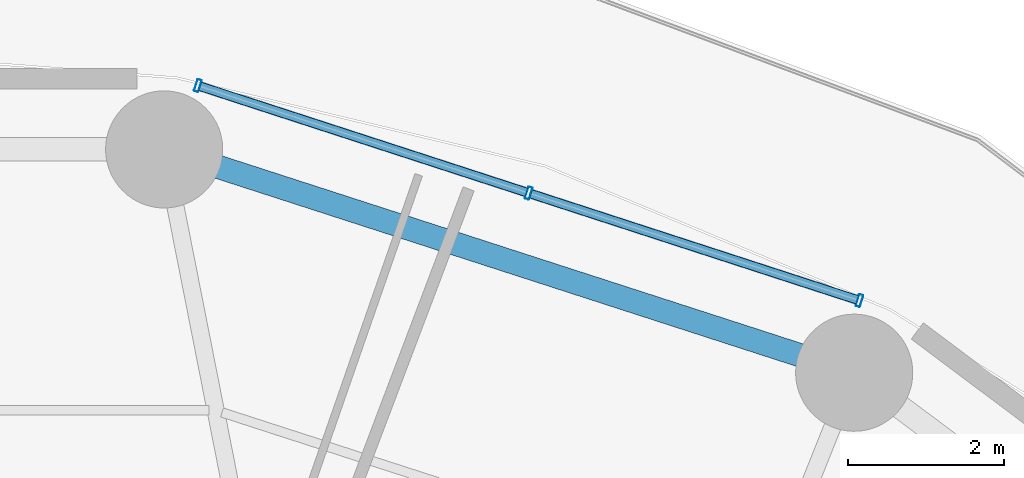
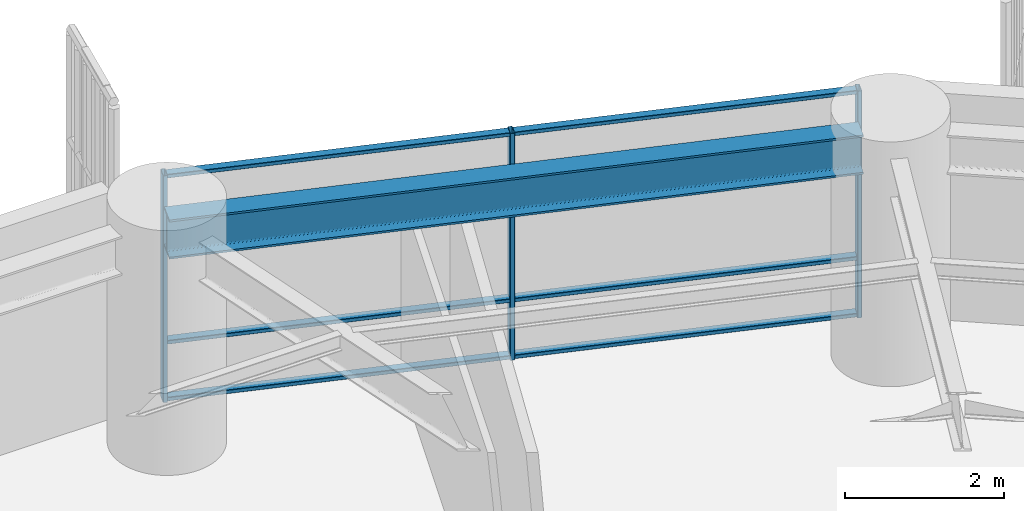
# One storey, part 21 of 32: 9 members, 1 beam, 1 element without a shape of its own.
"""IFC4 building model written with IfcOpenShell, lengths in metres."""

import ifcopenshell
import ifcopenshell.guid

model = None  # the IFC model being written
_history = None  # IfcOwnerHistory: only IFC2X3 demands one
_inside = {}  # id of a spatial element -> (the spatial element, [elements in it])
_under = {}  # id of a project, library or spatial element -> (it, [spatial elements below it])
_declared = {}  # id of a project -> (the project, [libraries it declares])
_typed = {}  # id of a type object -> (the type object, [elements of that type])
_made_of = {}  # id of a material, layer set ... -> (it, [elements and type objects made of it])


def new_model(schema):
    """Start an empty IFC model of exactly this schema.

    Asked for "IFC4X3", IfcOpenShell would pick the latest addendum, in which some entities
    have other attributes; the version numbers below select the first issue.
    IFC2X3 requires an IfcOwnerHistory on every rooted entity: one is made here for all.
    """
    global model, _history
    if schema == "IFC4X3":
        model = ifcopenshell.file(schema_version=(4, 3, 0, 0))
    else:
        model = ifcopenshell.file(schema=schema)
    _inside.clear()
    _under.clear()
    _declared.clear()
    _typed.clear()
    _made_of.clear()
    _history = None
    if model.schema == "IFC2X3":
        org = make("IfcOrganization", Name="unknown")
        user = make(
            "IfcPersonAndOrganization",
            ThePerson=make("IfcPerson", FamilyName="unknown"),
            TheOrganization=org,
        )
        app = make(
            "IfcApplication",
            ApplicationDeveloper=org,
            Version="unknown",
            ApplicationFullName="unknown",
            ApplicationIdentifier="unknown",
        )
        _history = make(
            "IfcOwnerHistory",
            OwningUser=user,
            OwningApplication=app,
            ChangeAction="ADDED",
            CreationDate=0,
        )
    return model


def make(cls, **values):
    """One entity of the class cls with the attributes given. An attribute that is None is left unset."""
    return model.create_entity(
        cls, **{name: value for name, value in values.items() if value is not None}
    )


def rooted(cls, **values):
    """An entity with a GlobalId (a new one), such as an element, a storey or a relation."""
    return make(cls, GlobalId=ifcopenshell.guid.new(), OwnerHistory=_history, **values)


def si_unit(unit_type, name, prefix=None):
    """IfcSIUnit, for example si_unit("LENGTHUNIT", "METRE", prefix="MILLI")."""
    return make("IfcSIUnit", UnitType=unit_type, Prefix=prefix, Name=name)


def assignment(units):
    """IfcUnitAssignment: the units of a project."""
    return None if units is None else make("IfcUnitAssignment", Units=units)


def point(xyz):
    """IfcCartesianPoint."""
    return None if xyz is None else make("IfcCartesianPoint", Coordinates=xyz)


def direction(xyz):
    """IfcDirection."""
    return None if xyz is None else make("IfcDirection", DirectionRatios=xyz)


def frame(location, z_axis=None, x_axis=None):
    """IfcAxis2Placement3D, a coordinate frame: its origin and axes. An axis left out is left unset."""
    return make(
        "IfcAxis2Placement3D",
        Location=point(location),
        Axis=direction(z_axis),
        RefDirection=direction(x_axis),
    )


def frame_2d(location, x_axis=None):
    """IfcAxis2Placement2D, a coordinate frame in the plane: its origin and x axis."""
    return make(
        "IfcAxis2Placement2D", Location=point(location), RefDirection=direction(x_axis)
    )


def origin():
    """The frame at (0, 0, 0) with its axes left unset."""
    return frame((0.0, 0.0, 0.0))


def origin_2d():
    """The frame at (0, 0) in the plane with its x axis left unset."""
    return frame_2d((0.0, 0.0))


def place(relative_to, where):
    """IfcLocalPlacement: puts the frame where relative to a parent placement (None: the world)."""
    return make(
        "IfcLocalPlacement", PlacementRelTo=relative_to, RelativePlacement=where
    )


def context(
    kind, dimensions, precision=None, world=None, true_north=None, identifier=None
):
    """IfcGeometricRepresentationContext, for example the 3D "Model" context."""
    return make(
        "IfcGeometricRepresentationContext",
        ContextIdentifier=identifier,
        ContextType=kind,
        CoordinateSpaceDimension=dimensions,
        Precision=precision,
        WorldCoordinateSystem=world,
        TrueNorth=true_north,
    )


def subcontext(parent, identifier, kind, view, scale=None):
    """IfcGeometricRepresentationSubContext, for example "Body" below "Model"."""
    return make(
        "IfcGeometricRepresentationSubContext",
        ContextIdentifier=identifier,
        ContextType=kind,
        ParentContext=parent,
        TargetScale=scale,
        TargetView=view,
    )


def project(units=None, contexts=None):
    """IfcProject with its units and contexts."""
    return rooted(
        "IfcProject",
        Name="project",
        RepresentationContexts=contexts,
        UnitsInContext=assignment(units),
    )


def spatial(cls, under=None, at=None, **own):
    """A site, building, storey or space (cls), placed at a placement, below another one or the project."""
    s = rooted(cls, ObjectPlacement=at, **own)
    if under is not None:
        _under.setdefault(under.id(), (under, []))[1].append(s)
    return s


def profile(cls, at=None, kind="AREA", **sizes):
    """A parametric profile (cls). Its sizes go by their IFC names, for example OverallWidth=200.0."""
    return make(cls, ProfileType=kind, Position=at, **sizes)


def hollow_rectangle(**sizes):
    """IfcRectangleHollowProfileDef."""
    return profile("IfcRectangleHollowProfileDef", **sizes)


def i_section(**sizes):
    """IfcIShapeProfileDef."""
    return profile("IfcIShapeProfileDef", **sizes)


def extrude(swept, where, along, depth):
    """IfcExtrudedAreaSolid: the profile swept, set in the frame where, extruded along a direction by depth."""
    return make(
        "IfcExtrudedAreaSolid",
        SweptArea=swept,
        Position=where,
        ExtrudedDirection=direction(along),
        Depth=depth,
    )


def shape(context_of_items, identifier, shape_type, items):
    """IfcShapeRepresentation: the items that make up one representation, for example the "Body"."""
    return make(
        "IfcShapeRepresentation",
        ContextOfItems=context_of_items,
        RepresentationIdentifier=identifier,
        RepresentationType=shape_type,
        Items=items,
    )


def material(Name=None, Category=None):
    """IfcMaterial."""
    return make("IfcMaterial", Name=Name, Category=Category)


def layer(
    of_material, thickness, ventilated=None, Name=None, Category=None, Priority=None
):
    """IfcMaterialLayer: one layer of a wall or slab, of a material (None: an air gap)."""
    return make(
        "IfcMaterialLayer",
        Material=of_material,
        LayerThickness=thickness,
        IsVentilated=ventilated,
        Name=Name,
        Category=Category,
        Priority=Priority,
    )


def layer_set(layers, Name=None):
    """IfcMaterialLayerSet."""
    return make("IfcMaterialLayerSet", MaterialLayers=layers, LayerSetName=Name)


def material_profile(
    of_material, cross_section, Name=None, Category=None, Priority=None
):
    """IfcMaterialProfile: a cross section and its material."""
    return make(
        "IfcMaterialProfile",
        Name=Name,
        Material=of_material,
        Profile=cross_section,
        Priority=Priority,
        Category=Category,
    )


def profile_set(profiles, Name=None, composite=None):
    """IfcMaterialProfileSet."""
    return make(
        "IfcMaterialProfileSet",
        Name=Name,
        MaterialProfiles=profiles,
        CompositeProfile=composite,
    )


def made_of(thing, what):
    """Note that an element or type object is made of a material, layer set ...; save() writes the relation."""
    if what is not None:
        _made_of.setdefault(what.id(), (what, []))[1].append(thing)
    return thing


def type_object(cls, material=None, **own):
    """A type object (cls), such as IfcWallType, which elements share."""
    return made_of(rooted(cls, **own), material)


def element(
    cls,
    number,
    at=None,
    inside=None,
    cuts=None,
    type_object=None,
    material=None,
    context=None,
    identifier="Body",
    shape_type=None,
    held_by="IfcProductDefinitionShape",
    body=None,
    shapes=None,
    **own,
):
    """One element of the class cls, such as IfcWall. Its Tag is "e" and its number.

    at: its placement. inside: the storey or other place that contains it. cuts: it is an
    opening in that element (IfcRelVoidsElement). A single representation is given by context,
    identifier, shape_type and body (its items); several are given by shapes. held_by: the class
    of the entity that holds the representations. save() writes the other relations.
    """
    e = rooted(cls, Tag="e%d" % number, ObjectPlacement=at, **own)
    if body is not None:
        shapes = [shape(context, identifier, shape_type, body)]
    if shapes is not None:
        e.Representation = make(held_by, Representations=shapes)
    if inside is not None:
        _inside.setdefault(inside.id(), (inside, []))[1].append(e)
    if cuts is not None:
        rooted(
            "IfcRelVoidsElement", RelatingBuildingElement=cuts, RelatedOpeningElement=e
        )
    if type_object is not None:
        _typed.setdefault(type_object.id(), (type_object, []))[1].append(e)
    return made_of(e, material)


def aggregate(whole, parts):
    """IfcRelAggregates: a whole, such as a stair, and the parts it consists of."""
    return rooted("IfcRelAggregates", RelatingObject=whole, RelatedObjects=parts)


def save(model, path):
    """Write the relations noted so far, then the file.

    IfcRelAggregates (storeys below a building ...), IfcRelContainedInSpatialStructure (elements
    in a storey), IfcRelDefinesByType, IfcRelAssociatesMaterial and IfcRelDeclares: one each for
    every whole, place, type object, material and project.
    """
    for whole, parts in _under.values():
        aggregate(whole, parts)
    for where, things in _inside.values():
        rooted(
            "IfcRelContainedInSpatialStructure",
            RelatedElements=things,
            RelatingStructure=where,
        )
    for kind, things in _typed.values():
        rooted("IfcRelDefinesByType", RelatedObjects=things, RelatingType=kind)
    for what, things in _made_of.values():
        rooted("IfcRelAssociatesMaterial", RelatedObjects=things, RelatingMaterial=what)
    for by, libraries in _declared.values():
        rooted("IfcRelDeclares", RelatingContext=by, RelatedDefinitions=libraries)
    model.write(path)


model = new_model("IFC4")

# Units and contexts
model_context = context("Model", 3, precision=1e-05, world=origin(), true_north=direction((0.0, 1.0)))
body_context = subcontext(model_context, "Body", "Model", "MODEL_VIEW")
ifc_project = project(units=[si_unit("LENGTHUNIT", "METRE"), si_unit("AREAUNIT", "SQUARE_METRE"), si_unit("VOLUMEUNIT", "CUBIC_METRE"), si_unit("PLANEANGLEUNIT", "RADIAN"), si_unit("MASSUNIT", "GRAM", prefix="KILO")], contexts=[model_context])

# Site, building, storey
site_placement = place(None, origin())
site = spatial("IfcSite", under=ifc_project, at=site_placement, CompositionType="ELEMENT")
building_placement = place(site_placement, origin())
building = spatial("IfcBuilding", under=site, at=building_placement, Name="Kelanora Arch Commons", CompositionType="ELEMENT")
storey_placement = place(building_placement, frame((0.0, 0.0, 56.25)))
storey = spatial("IfcBuildingStorey", under=building, at=storey_placement, Name="L14", CompositionType="ELEMENT", Elevation=56.25)

# Beam
ifc_material_1 = material(Name="Steel S355", Category="steel")
ifc_material_profile_1 = material_profile(ifc_material_1, i_section(OverallWidth=0.300048828125, OverallDepth=0.60009765625, WebThickness=0.015380859375, FlangeThickness=0.030029296875, FilletRadius=0.027099609375, at=origin_2d()), Name="HEB600")
ifc_profile_set_1 = profile_set([ifc_material_profile_1], Name="Steel S355")
beam_type = type_object("IfcBeamType", Name="BM-SPN-Z1", PredefinedType="SPANDREL", material=ifc_profile_set_1)
beam_placement = place(storey_placement, frame((87.178466796875, 78.970947265625, 3.18994140625), z_axis=(-0.951414770924, 0.307912217469, 0.0), x_axis=(-0.307912217469, -0.951414770924, 0.0)))
element("IfcBeam", 1, at=beam_placement, inside=storey, type_object=beam_type, Name="Perimeter Spandrel Beam BS-06 L14", PredefinedType="SPANDREL", context=body_context, shape_type="SweptSolid", body=[
    extrude(i_section(OverallWidth=0.300048828125, OverallDepth=0.60009765625, WebThickness=0.015380859375, FlangeThickness=0.030029296875, FilletRadius=0.027099609375, at=origin_2d()), origin(), (0.0, 0.0, 1.0), 8.908935546875),
])

# Curtain wall, members
ifc_material_2 = material(Name="Terracotta ceramic-fritted low-E glass and aluminium", Category="masonry")
ifc_layer = layer(ifc_material_2, 0.159912109375)
ifc_layer_set = layer_set([ifc_layer], Name="Terracotta ceramic-fritted low-E glass and aluminium")
curtain_wall_type = type_object("IfcCurtainWallType", Name="CW-SYS-01", PredefinedType="NOTDEFINED", material=ifc_layer_set)
curtain_wall_placement = place(storey_placement, origin())
curtain_wall = element("IfcCurtainWall", 2, at=curtain_wall_placement, inside=storey, type_object=curtain_wall_type, Name="Unitised Curtain Wall L14-B03", PredefinedType="NOTDEFINED")
ifc_material_3 = material(Name="Powder-coated aluminium terracotta", Category="masonry")
ifc_material_profile_2 = material_profile(ifc_material_3, hollow_rectangle(XDim=0.159912109375, YDim=0.06005859375, WallThickness=0.0048828125, InnerFilletRadius=0.0048828125, OuterFilletRadius=0.010009765625, at=origin_2d()), Name="CWM160x60")
ifc_profile_set_2 = profile_set([ifc_material_profile_2], Name="Powder-coated aluminium terracotta")
member_type_1 = type_object("IfcMemberType", Name="CWM-STD", PredefinedType="MULLION", material=ifc_profile_set_2)
member_1_placement = place(storey_placement, frame((87.607666015625, 79.778076171875, 0.0), z_axis=(0.0, 0.0, 1.0), x_axis=(-0.30905758454, -0.951043326793, 0.0)))
member_1 = element("IfcMember", 3, at=member_1_placement, type_object=member_type_1, Name="CW-01 mullion 1", PredefinedType="MULLION", context=body_context, shape_type="SweptSolid", body=[
    extrude(hollow_rectangle(XDim=0.159912109375, YDim=0.06005859375, WallThickness=0.0048828125, InnerFilletRadius=0.0048828125, OuterFilletRadius=0.010009765625, at=origin_2d()), origin(), (0.0, 0.0, 1.0), 3.47509765625),
])
member_2_placement = place(storey_placement, frame((83.37109375, 81.15478515625, 0.0), z_axis=(0.0, 0.0, 1.0), x_axis=(-0.30905758454, -0.951043326793, 0.0)))
member_2 = element("IfcMember", 4, at=member_2_placement, type_object=member_type_1, Name="CW-01 mullion 2", PredefinedType="MULLION", context=body_context, shape_type="SweptSolid", body=[
    extrude(hollow_rectangle(XDim=0.159912109375, YDim=0.06005859375, WallThickness=0.0048828125, InnerFilletRadius=0.0048828125, OuterFilletRadius=0.010009765625, at=origin_2d()), origin(), (0.0, 0.0, 1.0), 3.47509765625),
])
member_3_placement = place(storey_placement, frame((79.134521484375, 82.53173828125, 0.0), z_axis=(0.0, 0.0, 1.0), x_axis=(-0.30905758454, -0.951043326793, 0.0)))
member_3 = element("IfcMember", 5, at=member_3_placement, type_object=member_type_1, Name="CW-01 mullion 3", PredefinedType="MULLION", context=body_context, shape_type="SweptSolid", body=[
    extrude(hollow_rectangle(XDim=0.159912109375, YDim=0.06005859375, WallThickness=0.0048828125, InnerFilletRadius=0.0048828125, OuterFilletRadius=0.010009765625, at=origin_2d()), origin(), (0.0, 0.0, 1.0), 3.47509765625),
])
ifc_material_profile_3 = material_profile(ifc_material_3, hollow_rectangle(XDim=0.1201171875, YDim=0.06005859375, WallThickness=0.0048828125, InnerFilletRadius=0.0048828125, OuterFilletRadius=0.010009765625, at=origin_2d()), Name="CWT120x60")
ifc_profile_set_3 = profile_set([ifc_material_profile_3], Name="Powder-coated aluminium terracotta")
member_type_2 = type_object("IfcMemberType", Name="CWT-STD", PredefinedType="USERDEFINED", material=ifc_profile_set_3)
member_4_placement = place(storey_placement, frame((87.5791015625, 79.787353515625, 0.030029296875), z_axis=(-0.951045091182, 0.309052155047, 0.0), x_axis=(-0.309052155047, -0.951045091182, 0.0)))
member_4 = element("IfcMember", 6, at=member_4_placement, type_object=member_type_2, Name="CW-01 transom 1.1", ObjectType="TRANSOM", PredefinedType="USERDEFINED", context=body_context, shape_type="SweptSolid", body=[
    extrude(hollow_rectangle(XDim=0.1201171875, YDim=0.06005859375, WallThickness=0.0048828125, InnerFilletRadius=0.0048828125, OuterFilletRadius=0.010009765625, at=origin_2d()), origin(), (0.0, 0.0, 1.0), 4.39453125),
])
member_5_placement = place(storey_placement, frame((87.5791015625, 79.787353515625, 0.89990234375), z_axis=(-0.951045091182, 0.309052155047, 0.0), x_axis=(-0.309052155047, -0.951045091182, 0.0)))
member_5 = element("IfcMember", 7, at=member_5_placement, type_object=member_type_2, Name="CW-01 transom 1.2", ObjectType="TRANSOM", PredefinedType="USERDEFINED", context=body_context, shape_type="SweptSolid", body=[
    extrude(hollow_rectangle(XDim=0.1201171875, YDim=0.06005859375, WallThickness=0.0048828125, InnerFilletRadius=0.0048828125, OuterFilletRadius=0.010009765625, at=origin_2d()), origin(), (0.0, 0.0, 1.0), 4.39453125),
])
member_6_placement = place(storey_placement, frame((87.5791015625, 79.787353515625, 3.445068359375), z_axis=(-0.951045091182, 0.309052155047, 0.0), x_axis=(-0.309052155047, -0.951045091182, 0.0)))
member_6 = element("IfcMember", 8, at=member_6_placement, type_object=member_type_2, Name="CW-01 transom 1.3", ObjectType="TRANSOM", PredefinedType="USERDEFINED", context=body_context, shape_type="SweptSolid", body=[
    extrude(hollow_rectangle(XDim=0.1201171875, YDim=0.06005859375, WallThickness=0.0048828125, InnerFilletRadius=0.0048828125, OuterFilletRadius=0.010009765625, at=origin_2d()), origin(), (0.0, 0.0, 1.0), 4.39453125),
])
member_7_placement = place(storey_placement, frame((83.342529296875, 81.1640625, 0.030029296875), z_axis=(-0.951028761285, 0.309102402464, 0.0), x_axis=(-0.309102402464, -0.951028761285, 0.0)))
member_7 = element("IfcMember", 9, at=member_7_placement, type_object=member_type_2, Name="CW-01 transom 2.1", ObjectType="TRANSOM", PredefinedType="USERDEFINED", context=body_context, shape_type="SweptSolid", body=[
    extrude(hollow_rectangle(XDim=0.1201171875, YDim=0.06005859375, WallThickness=0.0048828125, InnerFilletRadius=0.0048828125, OuterFilletRadius=0.010009765625, at=origin_2d()), origin(), (0.0, 0.0, 1.0), 4.394775390625),
])
member_8_placement = place(storey_placement, frame((83.342529296875, 81.1640625, 0.89990234375), z_axis=(-0.951028761285, 0.309102402464, 0.0), x_axis=(-0.309102402464, -0.951028761285, 0.0)))
member_8 = element("IfcMember", 10, at=member_8_placement, type_object=member_type_2, Name="CW-01 transom 2.2", ObjectType="TRANSOM", PredefinedType="USERDEFINED", context=body_context, shape_type="SweptSolid", body=[
    extrude(hollow_rectangle(XDim=0.1201171875, YDim=0.06005859375, WallThickness=0.0048828125, InnerFilletRadius=0.0048828125, OuterFilletRadius=0.010009765625, at=origin_2d()), origin(), (0.0, 0.0, 1.0), 4.394775390625),
])
member_9_placement = place(storey_placement, frame((83.342529296875, 81.1640625, 3.445068359375), z_axis=(-0.951028761285, 0.309102402464, 0.0), x_axis=(-0.309102402464, -0.951028761285, 0.0)))
member_9 = element("IfcMember", 11, at=member_9_placement, type_object=member_type_2, Name="CW-01 transom 2.3", ObjectType="TRANSOM", PredefinedType="USERDEFINED", context=body_context, shape_type="SweptSolid", body=[
    extrude(hollow_rectangle(XDim=0.1201171875, YDim=0.06005859375, WallThickness=0.0048828125, InnerFilletRadius=0.0048828125, OuterFilletRadius=0.010009765625, at=origin_2d()), origin(), (0.0, 0.0, 1.0), 4.394775390625),
])
aggregate(curtain_wall, [member_1, member_2, member_3, member_4, member_5, member_6, member_7, member_8, member_9])

save(model, "model.ifc")
